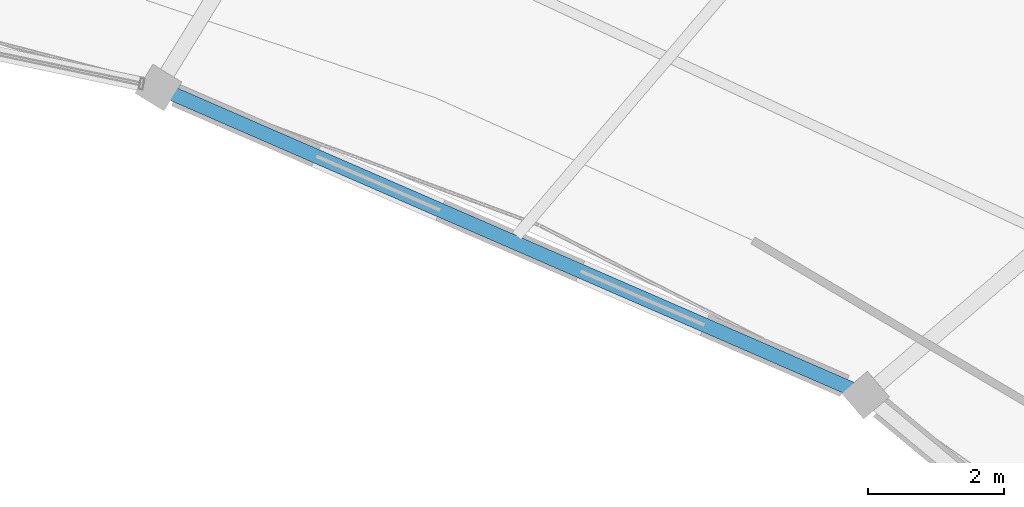
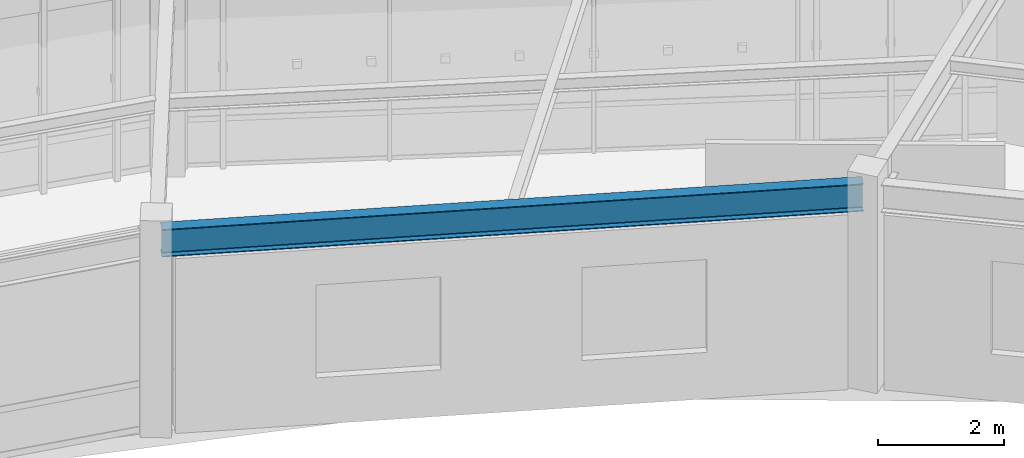
# One storey, part 52 of 79: 1 beam.
"""IFC4 building model written with IfcOpenShell, lengths in metres."""

from ifc_helpers import new_model, si_unit, direction, frame, origin, origin_2d, place, context, subcontext, project, spatial, i_section, extrude, material, material_profile, profile_set, type_object, element, save


model = new_model("IFC4")

# Units and contexts
model_context = context("Model", 3, precision=1e-05, world=origin(), true_north=direction((0.0, 1.0)))
body_context = subcontext(model_context, "Body", "Model", "MODEL_VIEW")
ifc_project = project(units=[si_unit("LENGTHUNIT", "METRE"), si_unit("AREAUNIT", "SQUARE_METRE"), si_unit("VOLUMEUNIT", "CUBIC_METRE"), si_unit("PLANEANGLEUNIT", "RADIAN"), si_unit("MASSUNIT", "GRAM", prefix="KILO"), si_unit("THERMODYNAMICTEMPERATUREUNIT", "KELVIN"), si_unit("POWERUNIT", "WATT")], contexts=[model_context])

# Site, building, storey
site_placement = place(None, origin())
site = spatial("IfcSite", under=ifc_project, at=site_placement, CompositionType="ELEMENT")
building_placement = place(site_placement, origin())
building = spatial("IfcBuilding", under=site, at=building_placement, Name="Darbajah Civic Hall", CompositionType="ELEMENT")
storey_placement = place(building_placement, frame((0.0, 0.0, 22.199951171875)))
storey = spatial("IfcBuildingStorey", under=building, at=storey_placement, Name="L05", CompositionType="ELEMENT", Elevation=22.199951171875)

# Beam
ifc_material = material(Name="Steel S355JR", Category="steel")
ifc_material_profile = material_profile(ifc_material, i_section(OverallWidth=0.209228515625, OverallDepth=0.533203125, WebThickness=0.010009765625, FlangeThickness=0.015625, FilletRadius=0.0126953125, at=origin_2d()), Name="UB 533x210x92")
ifc_profile_set = profile_set([ifc_material_profile], Name="Steel S355JR")
beam_type = type_object("IfcBeamType", Name="UB 533x210x92", PredefinedType="BEAM", material=ifc_profile_set)
beam_placement = place(storey_placement, frame((122.33251953125, 104.314697265625, 3.653564453125), z_axis=(-0.91705481115, 0.398761173319, 0.0), x_axis=(-0.398761173319, -0.91705481115, 0.0)))
element("IfcBeam", 1, at=beam_placement, inside=storey, type_object=beam_type, Name="L05 beam SB-533", PredefinedType="BEAM", context=body_context, shape_type="SweptSolid", body=[
    extrude(i_section(OverallWidth=0.209228515625, OverallDepth=0.533203125, WebThickness=0.010009765625, FlangeThickness=0.015625, FilletRadius=0.0126953125, at=origin_2d()), origin(), (0.0, 0.0, 1.0), 11.202880859375),
])

save(model, "model.ifc")
